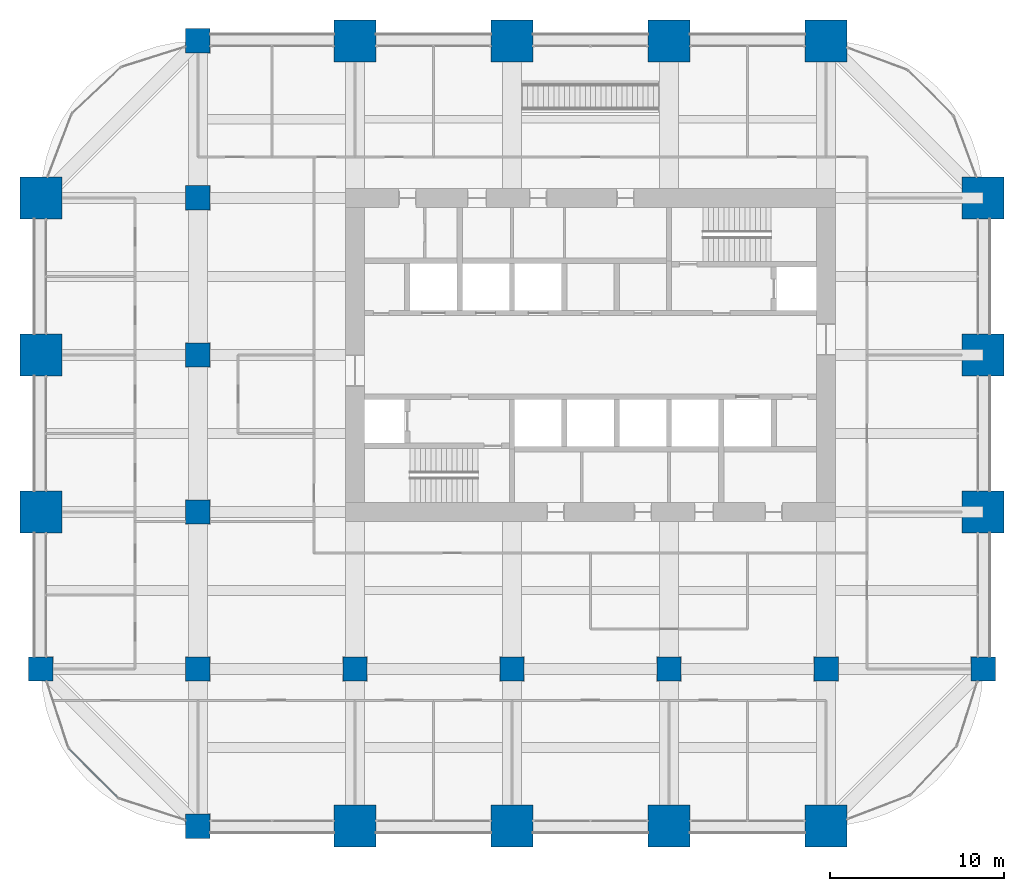
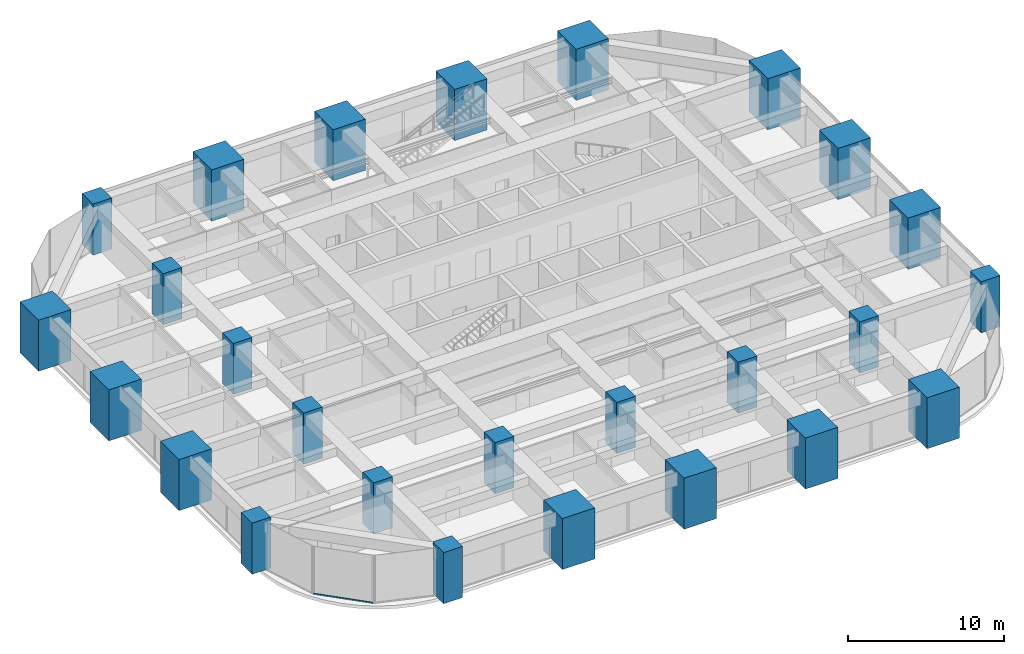
# One storey, part 1 of 34: 26 columns, 1 member, 1 element without a shape of its own.
"""IFC4 building model written with IfcOpenShell, lengths in metres."""

import ifcopenshell
import ifcopenshell.guid

model = None  # the IFC model being written
_history = None  # IfcOwnerHistory: only IFC2X3 demands one
_inside = {}  # id of a spatial element -> (the spatial element, [elements in it])
_under = {}  # id of a project, library or spatial element -> (it, [spatial elements below it])
_declared = {}  # id of a project -> (the project, [libraries it declares])
_typed = {}  # id of a type object -> (the type object, [elements of that type])
_made_of = {}  # id of a material, layer set ... -> (it, [elements and type objects made of it])


def new_model(schema):
    """Start an empty IFC model of exactly this schema.

    Asked for "IFC4X3", IfcOpenShell would pick the latest addendum, in which some entities
    have other attributes; the version numbers below select the first issue.
    IFC2X3 requires an IfcOwnerHistory on every rooted entity: one is made here for all.
    """
    global model, _history
    if schema == "IFC4X3":
        model = ifcopenshell.file(schema_version=(4, 3, 0, 0))
    else:
        model = ifcopenshell.file(schema=schema)
    _inside.clear()
    _under.clear()
    _declared.clear()
    _typed.clear()
    _made_of.clear()
    _history = None
    if model.schema == "IFC2X3":
        org = make("IfcOrganization", Name="unknown")
        user = make(
            "IfcPersonAndOrganization",
            ThePerson=make("IfcPerson", FamilyName="unknown"),
            TheOrganization=org,
        )
        app = make(
            "IfcApplication",
            ApplicationDeveloper=org,
            Version="unknown",
            ApplicationFullName="unknown",
            ApplicationIdentifier="unknown",
        )
        _history = make(
            "IfcOwnerHistory",
            OwningUser=user,
            OwningApplication=app,
            ChangeAction="ADDED",
            CreationDate=0,
        )
    return model


def make(cls, **values):
    """One entity of the class cls with the attributes given. An attribute that is None is left unset."""
    return model.create_entity(
        cls, **{name: value for name, value in values.items() if value is not None}
    )


def rooted(cls, **values):
    """An entity with a GlobalId (a new one), such as an element, a storey or a relation."""
    return make(cls, GlobalId=ifcopenshell.guid.new(), OwnerHistory=_history, **values)


def si_unit(unit_type, name, prefix=None):
    """IfcSIUnit, for example si_unit("LENGTHUNIT", "METRE", prefix="MILLI")."""
    return make("IfcSIUnit", UnitType=unit_type, Prefix=prefix, Name=name)


def assignment(units):
    """IfcUnitAssignment: the units of a project."""
    return None if units is None else make("IfcUnitAssignment", Units=units)


def point(xyz):
    """IfcCartesianPoint."""
    return None if xyz is None else make("IfcCartesianPoint", Coordinates=xyz)


def direction(xyz):
    """IfcDirection."""
    return None if xyz is None else make("IfcDirection", DirectionRatios=xyz)


def frame(location, z_axis=None, x_axis=None):
    """IfcAxis2Placement3D, a coordinate frame: its origin and axes. An axis left out is left unset."""
    return make(
        "IfcAxis2Placement3D",
        Location=point(location),
        Axis=direction(z_axis),
        RefDirection=direction(x_axis),
    )


def frame_2d(location, x_axis=None):
    """IfcAxis2Placement2D, a coordinate frame in the plane: its origin and x axis."""
    return make(
        "IfcAxis2Placement2D", Location=point(location), RefDirection=direction(x_axis)
    )


def origin():
    """The frame at (0, 0, 0) with its axes left unset."""
    return frame((0.0, 0.0, 0.0))


def origin_2d():
    """The frame at (0, 0) in the plane with its x axis left unset."""
    return frame_2d((0.0, 0.0))


def place(relative_to, where):
    """IfcLocalPlacement: puts the frame where relative to a parent placement (None: the world)."""
    return make(
        "IfcLocalPlacement", PlacementRelTo=relative_to, RelativePlacement=where
    )


def context(
    kind, dimensions, precision=None, world=None, true_north=None, identifier=None
):
    """IfcGeometricRepresentationContext, for example the 3D "Model" context."""
    return make(
        "IfcGeometricRepresentationContext",
        ContextIdentifier=identifier,
        ContextType=kind,
        CoordinateSpaceDimension=dimensions,
        Precision=precision,
        WorldCoordinateSystem=world,
        TrueNorth=true_north,
    )


def subcontext(parent, identifier, kind, view, scale=None):
    """IfcGeometricRepresentationSubContext, for example "Body" below "Model"."""
    return make(
        "IfcGeometricRepresentationSubContext",
        ContextIdentifier=identifier,
        ContextType=kind,
        ParentContext=parent,
        TargetScale=scale,
        TargetView=view,
    )


def project(units=None, contexts=None):
    """IfcProject with its units and contexts."""
    return rooted(
        "IfcProject",
        Name="project",
        RepresentationContexts=contexts,
        UnitsInContext=assignment(units),
    )


def spatial(cls, under=None, at=None, **own):
    """A site, building, storey or space (cls), placed at a placement, below another one or the project."""
    s = rooted(cls, ObjectPlacement=at, **own)
    if under is not None:
        _under.setdefault(under.id(), (under, []))[1].append(s)
    return s


def profile(cls, at=None, kind="AREA", **sizes):
    """A parametric profile (cls). Its sizes go by their IFC names, for example OverallWidth=200.0."""
    return make(cls, ProfileType=kind, Position=at, **sizes)


def rectangle(**sizes):
    """IfcRectangleProfileDef."""
    return profile("IfcRectangleProfileDef", **sizes)


def hollow_rectangle(**sizes):
    """IfcRectangleHollowProfileDef."""
    return profile("IfcRectangleHollowProfileDef", **sizes)


def extrude(swept, where, along, depth):
    """IfcExtrudedAreaSolid: the profile swept, set in the frame where, extruded along a direction by depth."""
    return make(
        "IfcExtrudedAreaSolid",
        SweptArea=swept,
        Position=where,
        ExtrudedDirection=direction(along),
        Depth=depth,
    )


def shape(context_of_items, identifier, shape_type, items):
    """IfcShapeRepresentation: the items that make up one representation, for example the "Body"."""
    return make(
        "IfcShapeRepresentation",
        ContextOfItems=context_of_items,
        RepresentationIdentifier=identifier,
        RepresentationType=shape_type,
        Items=items,
    )


def material(Name=None, Category=None):
    """IfcMaterial."""
    return make("IfcMaterial", Name=Name, Category=Category)


def material_profile(
    of_material, cross_section, Name=None, Category=None, Priority=None
):
    """IfcMaterialProfile: a cross section and its material."""
    return make(
        "IfcMaterialProfile",
        Name=Name,
        Material=of_material,
        Profile=cross_section,
        Priority=Priority,
        Category=Category,
    )


def profile_set(profiles, Name=None, composite=None):
    """IfcMaterialProfileSet."""
    return make(
        "IfcMaterialProfileSet",
        Name=Name,
        MaterialProfiles=profiles,
        CompositeProfile=composite,
    )


def made_of(thing, what):
    """Note that an element or type object is made of a material, layer set ...; save() writes the relation."""
    if what is not None:
        _made_of.setdefault(what.id(), (what, []))[1].append(thing)
    return thing


def type_object(cls, material=None, **own):
    """A type object (cls), such as IfcWallType, which elements share."""
    return made_of(rooted(cls, **own), material)


def element(
    cls,
    number,
    at=None,
    inside=None,
    cuts=None,
    type_object=None,
    material=None,
    context=None,
    identifier="Body",
    shape_type=None,
    held_by="IfcProductDefinitionShape",
    body=None,
    shapes=None,
    **own,
):
    """One element of the class cls, such as IfcWall. Its Tag is "e" and its number.

    at: its placement. inside: the storey or other place that contains it. cuts: it is an
    opening in that element (IfcRelVoidsElement). A single representation is given by context,
    identifier, shape_type and body (its items); several are given by shapes. held_by: the class
    of the entity that holds the representations. save() writes the other relations.
    """
    e = rooted(cls, Tag="e%d" % number, ObjectPlacement=at, **own)
    if body is not None:
        shapes = [shape(context, identifier, shape_type, body)]
    if shapes is not None:
        e.Representation = make(held_by, Representations=shapes)
    if inside is not None:
        _inside.setdefault(inside.id(), (inside, []))[1].append(e)
    if cuts is not None:
        rooted(
            "IfcRelVoidsElement", RelatingBuildingElement=cuts, RelatedOpeningElement=e
        )
    if type_object is not None:
        _typed.setdefault(type_object.id(), (type_object, []))[1].append(e)
    return made_of(e, material)


def aggregate(whole, parts):
    """IfcRelAggregates: a whole, such as a stair, and the parts it consists of."""
    return rooted("IfcRelAggregates", RelatingObject=whole, RelatedObjects=parts)


def save(model, path):
    """Write the relations noted so far, then the file.

    IfcRelAggregates (storeys below a building ...), IfcRelContainedInSpatialStructure (elements
    in a storey), IfcRelDefinesByType, IfcRelAssociatesMaterial and IfcRelDeclares: one each for
    every whole, place, type object, material and project.
    """
    for whole, parts in _under.values():
        aggregate(whole, parts)
    for where, things in _inside.values():
        rooted(
            "IfcRelContainedInSpatialStructure",
            RelatedElements=things,
            RelatingStructure=where,
        )
    for kind, things in _typed.values():
        rooted("IfcRelDefinesByType", RelatedObjects=things, RelatingType=kind)
    for what, things in _made_of.values():
        rooted("IfcRelAssociatesMaterial", RelatedObjects=things, RelatingMaterial=what)
    for by, libraries in _declared.values():
        rooted("IfcRelDeclares", RelatingContext=by, RelatedDefinitions=libraries)
    model.write(path)


model = new_model("IFC4")

# Units and contexts
model_context = context("Model", 3, precision=1e-05, world=origin(), true_north=direction((0.0, 1.0)))
body_context = subcontext(model_context, "Body", "Model", "MODEL_VIEW")
ifc_project = project(units=[si_unit("LENGTHUNIT", "METRE"), si_unit("AREAUNIT", "SQUARE_METRE"), si_unit("VOLUMEUNIT", "CUBIC_METRE"), si_unit("PLANEANGLEUNIT", "RADIAN"), si_unit("MASSUNIT", "GRAM", prefix="KILO")], contexts=[model_context])

# Site, building, storey
site_placement = place(None, origin())
site = spatial("IfcSite", under=ifc_project, at=site_placement, CompositionType="ELEMENT")
building_placement = place(site_placement, origin())
building = spatial("IfcBuilding", under=site, at=building_placement, Name="Zorevar Civic Tower", CompositionType="ELEMENT")
storey_placement = place(building_placement, frame((0.0, 0.0, 214.199951171875)))
storey = spatial("IfcBuildingStorey", under=building, at=storey_placement, Name="L52", CompositionType="ELEMENT", Elevation=214.199951171875)

# Columns
ifc_material_1 = material(Name="Concrete C50/60", Category="concrete")
ifc_material_profile_1 = material_profile(ifc_material_1, rectangle(XDim=1.39990234375, YDim=1.39990234375, at=origin_2d()), Name="RC 1400x1400")
ifc_profile_set_1 = profile_set([ifc_material_profile_1], Name="Concrete C50/60")
column_type_1 = type_object("IfcColumnType", Name="Column RC 1400x1400", PredefinedType="COLUMN", material=ifc_profile_set_1)
for number, where, z_axis, x_axis, name in (
    (1, (0.0, 9.0, 0.0), (0.0, 0.0, 1.0), (1.0, 0.0, 0.0), "Column 2B L52"),
    (2, (9.0, 0.0, 0.0), (0.0, 0.0, 1.0), (1.0, 0.0, 0.0), "Column 3A L52"),
    (3, (9.0, 9.0, 0.0), (0.0, 0.0, 1.0), (1.0, 0.0, 0.0), "Column 3B L52"),
    (4, (9.0, 18.0, 0.0), (0.0, 0.0, 1.0), (1.0, 0.0, 0.0), "Column 3C L52"),
    (5, (9.0, 27.0, 0.0), (0.0, 0.0, 1.0), (1.0, 0.0, 0.0), "Column 3D L52"),
    (6, (9.0, 36.0, 0.0), (0.0, 0.0, 1.0), (1.0, 0.0, 0.0), "Column 3E L52"),
    (7, (9.0, 45.0, 0.0), (0.0, 0.0, 1.0), (1.0, 0.0, 0.0), "Column 3F L52"),
    (8, (18.0, 9.0, 0.0), (0.0, 0.0, 1.0), (1.0, 0.0, 0.0), "Column 4B L52"),
    (9, (27.0, 9.0, 0.0), (0.0, 0.0, 1.0), (1.0, 0.0, 0.0), "Column 5B L52"),
    (10, (36.0, 9.0, 0.0), (0.0, 0.0, 1.0), (1.0, 0.0, 0.0), "Column 6B L52"),
    (11, (45.0, 9.0, 0.0), (0.0, 0.0, 1.0), (1.0, 0.0, 0.0), "Column 7B L52"),
    (12, (54.0, 9.0, 0.0), (0.0, 0.0, 1.0), (1.0, 0.0, 0.0), "Column 8B L52"),
):
    element("IfcColumn", number, at=place(storey_placement, frame(where, z_axis=z_axis, x_axis=x_axis)), inside=storey, type_object=column_type_1, Name=name, PredefinedType="COLUMN", context=body_context, shape_type="SweptSolid", body=[
        extrude(rectangle(XDim=1.39990234375, YDim=1.39990234375, at=origin_2d()), origin(), (0.0, 0.0, 1.0), 4.0),
    ])
ifc_material_2 = material(Name="Concrete C50/60", Category="concrete")
ifc_material_profile_2 = material_profile(ifc_material_2, rectangle(XDim=2.39990234375, YDim=2.39990234375, at=origin_2d()), Name="RC 2400x2400")
ifc_profile_set_2 = profile_set([ifc_material_profile_2], Name="Concrete C50/60")
column_type_2 = type_object("IfcColumnType", Name="Mega column RC 2400x2400", PredefinedType="COLUMN", material=ifc_profile_set_2)
for number, where, z_axis, x_axis, name in (
    (13, (0.0, 18.0, 0.0), (0.0, 0.0, 1.0), (1.0, 0.0, 0.0), "Column 2C L52"),
    (14, (0.0, 27.0, 0.0), (0.0, 0.0, 1.0), (1.0, 0.0, 0.0), "Column 2D L52"),
    (15, (0.0, 36.0, 0.0), (0.0, 0.0, 1.0), (1.0, 0.0, 0.0), "Column 2E L52"),
    (16, (18.0, 0.0, 0.0), (0.0, 0.0, 1.0), (1.0, 0.0, 0.0), "Column 4A L52"),
    (17, (18.0, 45.0, 0.0), (0.0, 0.0, 1.0), (1.0, 0.0, 0.0), "Column 4F L52"),
    (18, (27.0, 0.0, 0.0), (0.0, 0.0, 1.0), (1.0, 0.0, 0.0), "Column 5A L52"),
    (19, (27.0, 45.0, 0.0), (0.0, 0.0, 1.0), (1.0, 0.0, 0.0), "Column 5F L52"),
    (20, (36.0, 0.0, 0.0), (0.0, 0.0, 1.0), (1.0, 0.0, 0.0), "Column 6A L52"),
    (21, (36.0, 45.0, 0.0), (0.0, 0.0, 1.0), (1.0, 0.0, 0.0), "Column 6F L52"),
    (22, (45.0, 0.0, 0.0), (0.0, 0.0, 1.0), (1.0, 0.0, 0.0), "Column 7A L52"),
    (23, (45.0, 45.0, 0.0), (0.0, 0.0, 1.0), (1.0, 0.0, 0.0), "Column 7F L52"),
    (24, (54.0, 18.0, 0.0), (0.0, 0.0, 1.0), (1.0, 0.0, 0.0), "Column 8C L52"),
    (25, (54.0, 27.0, 0.0), (0.0, 0.0, 1.0), (1.0, 0.0, 0.0), "Column 8D L52"),
    (26, (54.0, 36.0, 0.0), (0.0, 0.0, 1.0), (1.0, 0.0, 0.0), "Column 8E L52"),
):
    element("IfcColumn", number, at=place(storey_placement, frame(where, z_axis=z_axis, x_axis=x_axis)), inside=storey, type_object=column_type_2, Name=name, PredefinedType="COLUMN", context=body_context, shape_type="SweptSolid", body=[
        extrude(rectangle(XDim=2.39990234375, YDim=2.39990234375, at=origin_2d()), origin(), (0.0, 0.0, 1.0), 4.0),
    ])

# Curtain wall, member
ifc_material_3 = material(Name="Dark grey solar-control glass in black aluminium frame", Category="aluminium")
curtain_wall_type = type_object("IfcCurtainWallType", Name="Curtain wall CW4 high zone", PredefinedType="NOTDEFINED", material=ifc_material_3)
curtain_wall_placement = place(storey_placement, origin())
curtain_wall = element("IfcCurtainWall", 27, at=curtain_wall_placement, inside=storey, type_object=curtain_wall_type, Name="CW4 L52", PredefinedType="NOTDEFINED")
ifc_material_4 = material(Name="Aluminium, black anodised", Category="aluminium")
ifc_material_profile_3 = material_profile(ifc_material_4, hollow_rectangle(XDim=0.06005859375, YDim=0.1201171875, WallThickness=0.0029296875, at=origin_2d()), Name="AL 120x60x3")
ifc_profile_set_3 = profile_set([ifc_material_profile_3], Name="Aluminium, black anodised")
member_type = type_object("IfcMemberType", Name="CW4 transom AL 120x60x3", PredefinedType="USERDEFINED", material=ifc_profile_set_3)
member_placement = place(storey_placement, frame((1.62744140625, 4.406982421875, 0.030029296875), z_axis=(0.707106781187, -0.707106781187, 0.0), x_axis=(0.707106781187, 0.707106781187, 0.0)))
member = element("IfcMember", 28, at=member_placement, type_object=member_type, Name="CW4 sill transom", ObjectType="TRANSOM", PredefinedType="USERDEFINED", context=body_context, shape_type="SweptSolid", body=[
    extrude(hollow_rectangle(XDim=0.06005859375, YDim=0.1201171875, WallThickness=0.0029296875, at=origin_2d()), origin(), (0.0, 0.0, 1.0), 3.930908203125),
])
aggregate(curtain_wall, [member])

save(model, "model.ifc")
